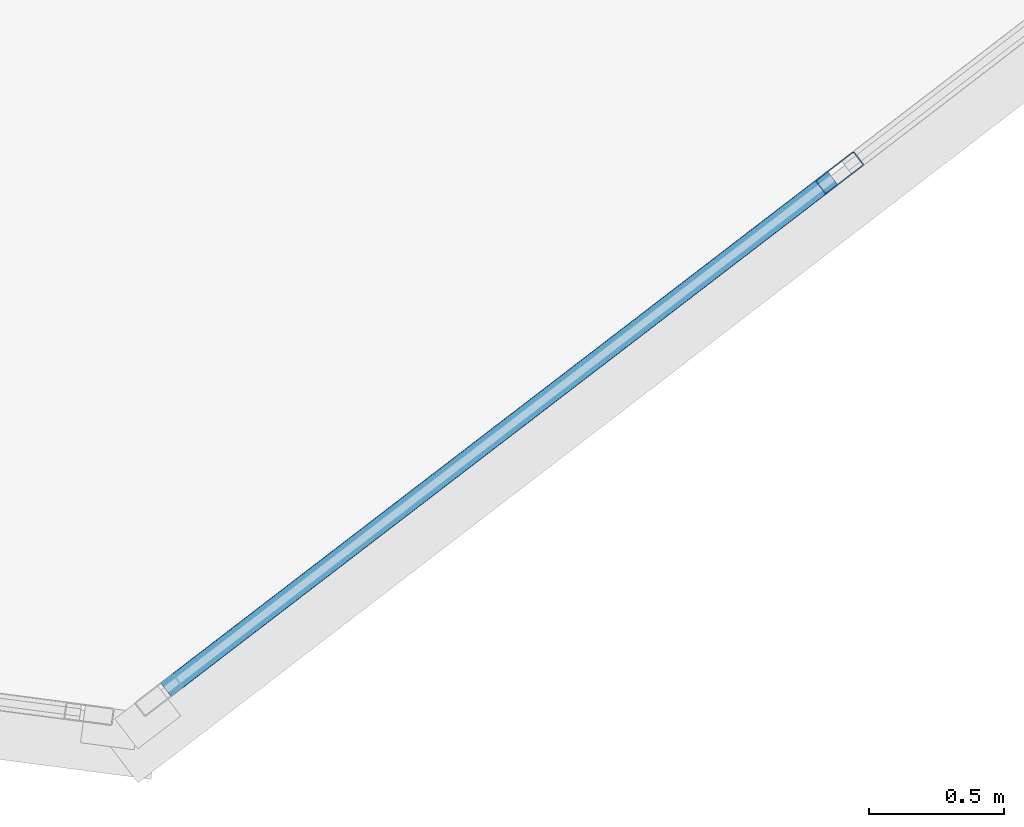
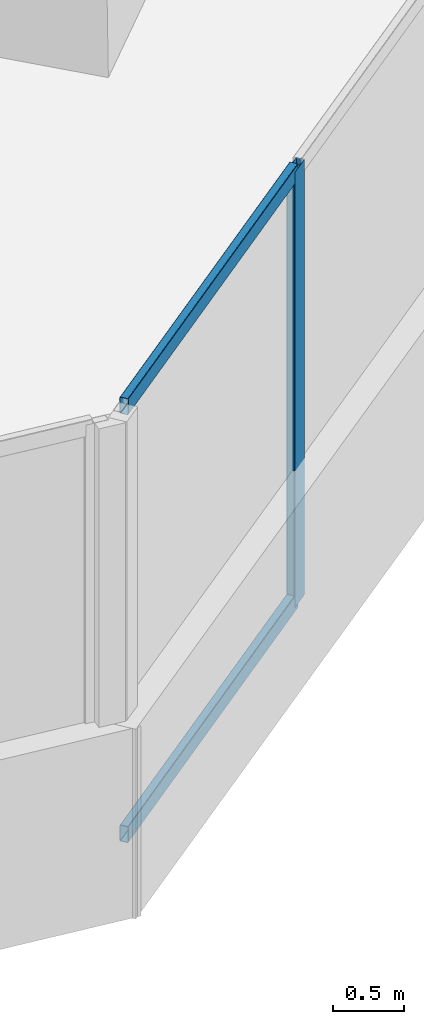
# One storey, part 5 of 24: 3 members, 1 element without a shape of its own.
"""IFC4 building model written with IfcOpenShell, lengths in metres."""

from ifc_helpers import new_model, si_unit, direction, frame, origin, origin_2d, place, context, subcontext, project, spatial, hollow_rectangle, extrude, source, transform, mapped, material, material_profile, profile_set, type_object, element, aggregate, save


model = new_model("IFC4")

# Units and contexts
model_context = context("Model", 3, precision=1e-05, world=origin(), true_north=direction((0.0, 1.0)))
body_context = subcontext(model_context, "Body", "Model", "MODEL_VIEW")
ifc_project = project(units=[si_unit("LENGTHUNIT", "METRE"), si_unit("AREAUNIT", "SQUARE_METRE"), si_unit("VOLUMEUNIT", "CUBIC_METRE"), si_unit("PLANEANGLEUNIT", "RADIAN"), si_unit("MASSUNIT", "GRAM", prefix="KILO")], contexts=[model_context])

# Site, building, storey
site_placement = place(None, origin())
site = spatial("IfcSite", under=ifc_project, at=site_placement, CompositionType="ELEMENT")
building_placement = place(site_placement, origin())
building = spatial("IfcBuilding", under=site, at=building_placement, Name="Torre Montelarca", CompositionType="ELEMENT")
storey_placement = place(building_placement, frame((0.0, 0.0, 70.60009765625)))
storey = spatial("IfcBuildingStorey", under=building, at=storey_placement, Name="L15", CompositionType="ELEMENT", Elevation=70.60009765625)

# Curtain wall, members
ifc_material_1 = material(Name="Insulated low-E laminated glass", Category="glass")
curtain_wall_type = type_object("IfcCurtainWallType", Name="CW-SYS-Z1", PredefinedType="USERDEFINED", material=ifc_material_1)
curtain_wall_placement = place(storey_placement, origin())
curtain_wall = element("IfcCurtainWall", 1, at=curtain_wall_placement, inside=storey, type_object=curtain_wall_type, Name="L15 Curtain Wall Run CW-T3-L15-E02-B1", ObjectType="UNITISED GLAZING", PredefinedType="USERDEFINED")
ifc_material_2 = material(Name="Anodised aluminium AA 6063-T6", Category="aluminium")
ifc_material_profile_1 = material_profile(ifc_material_2, hollow_rectangle(XDim=0.06494140625, YDim=0.139892578125, WallThickness=0.00390625, InnerFilletRadius=0.00390625, OuterFilletRadius=0.008056640625, at=origin_2d()), Name="ALU65X140X4", Category="aluminium")
ifc_profile_set_1 = profile_set([ifc_material_profile_1], Name="Anodised aluminium AA 6063-T6")
member_type_1 = type_object("IfcMemberType", Name="CWT-ALU140", PredefinedType="USERDEFINED", material=ifc_profile_set_1)
shared_shape_1 = source(origin(), body_context, "Body", "SweptSolid", [
    extrude(hollow_rectangle(XDim=0.06494140625, YDim=0.139892578125, WallThickness=0.00390625, InnerFilletRadius=0.00390625, OuterFilletRadius=0.008056640625, at=origin_2d()), origin(), (0.0, 0.0, 1.0), 3.1025390625),
])
member_1_placement = place(storey_placement, frame((30.03515625, 12.776611328125, 0.032470703125), z_axis=(0.793360587465, 0.608751984192, 0.0), x_axis=(-0.608751984192, 0.793360587465, 0.0)))
member_1 = element("IfcMember", 2, at=member_1_placement, type_object=member_type_1, Name="CW transom 1.1", ObjectType="TRANSOM", PredefinedType="USERDEFINED", context=body_context, shape_type="MappedRepresentation", body=[
    mapped(shared_shape_1, transform((0.0, 0.0, 0.0), scale=1.0)),
])
member_2_placement = place(storey_placement, frame((30.03515625, 12.776611328125, 3.6875), z_axis=(0.793360587465, 0.608751984192, 0.0), x_axis=(-0.608751984192, 0.793360587465, 0.0)))
member_2 = element("IfcMember", 3, at=member_2_placement, type_object=member_type_1, Name="CW transom 1.2", ObjectType="TRANSOM", PredefinedType="USERDEFINED", context=body_context, shape_type="MappedRepresentation", body=[
    mapped(shared_shape_1, transform((0.0, 0.0, 0.0), scale=1.0)),
])
ifc_material_profile_2 = material_profile(ifc_material_2, hollow_rectangle(XDim=0.06494140625, YDim=0.179931640625, WallThickness=0.00390625, InnerFilletRadius=0.00390625, OuterFilletRadius=0.008056640625, at=origin_2d()), Name="ALU65X180X4", Category="aluminium")
ifc_profile_set_2 = profile_set([ifc_material_profile_2], Name="Anodised aluminium AA 6063-T6")
member_type_2 = type_object("IfcMemberType", Name="CWM-ALU180", PredefinedType="MULLION", material=ifc_profile_set_2)
shared_shape_2 = source(origin(), body_context, "Body", "SweptSolid", [
    extrude(hollow_rectangle(XDim=0.06494140625, YDim=0.179931640625, WallThickness=0.00390625, InnerFilletRadius=0.00390625, OuterFilletRadius=0.008056640625, at=origin_2d()), origin(), (0.0, 0.0, 1.0), 3.719970703125),
])
member_3_placement = place(storey_placement, frame((32.522216796875, 14.68505859375, 0.0), z_axis=(0.0, 0.0, 1.0), x_axis=(-0.608756578814, 0.793357061953, 0.0)))
member_3 = element("IfcMember", 4, at=member_3_placement, type_object=member_type_2, Name="CW mullion 2", PredefinedType="MULLION", context=body_context, shape_type="MappedRepresentation", body=[
    mapped(shared_shape_2, transform((0.0, 0.0, 0.0), scale=1.0)),
])
aggregate(curtain_wall, [member_3, member_1, member_2])

save(model, "model.ifc")
